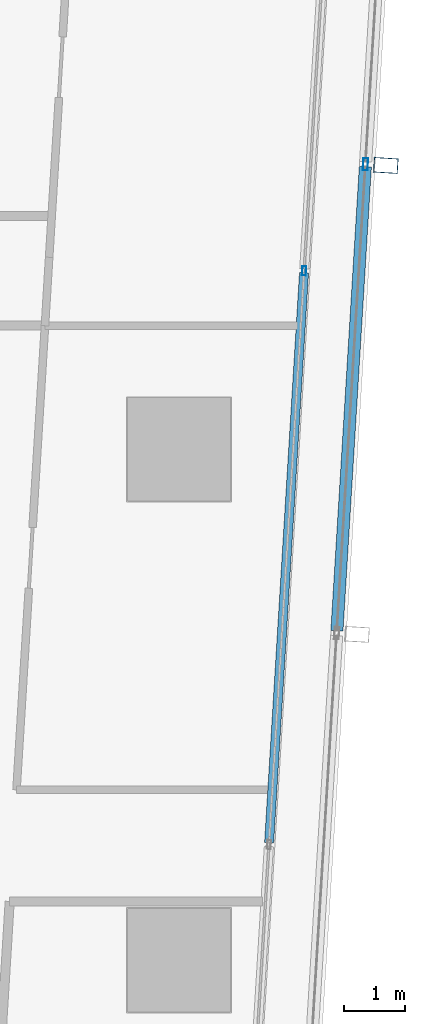
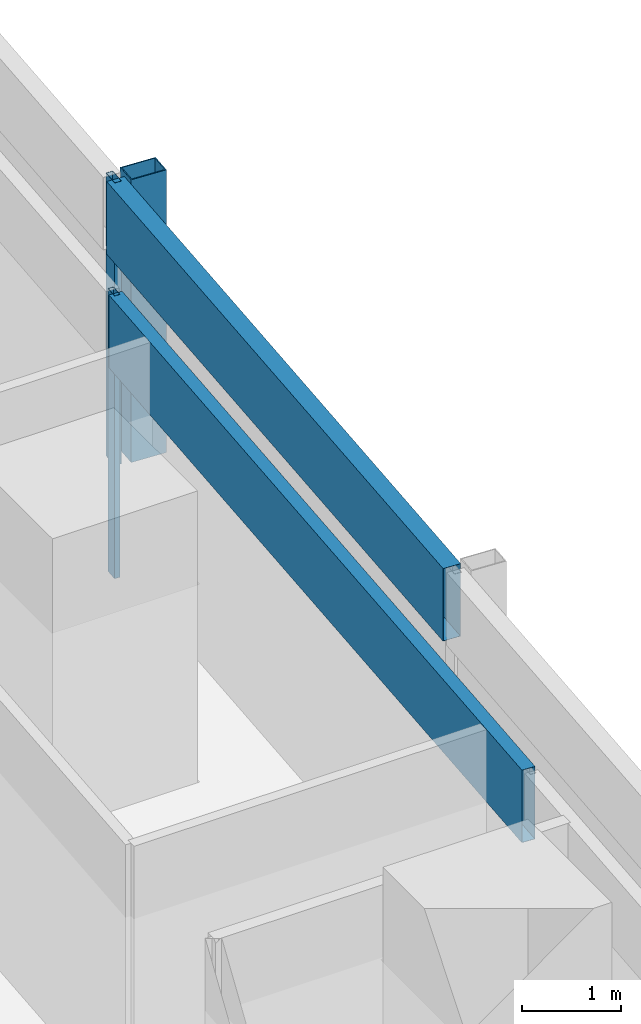
# One storey, part 24 of 40: 5 members, 2 elements without a shape of their own.
"""IFC4 building model written with IfcOpenShell, lengths in metres."""

from ifc_helpers import new_model, si_unit, direction, frame, origin, origin_2d, place, context, subcontext, project, spatial, hollow_rectangle, extrude, material, material_profile, profile_set, type_object, element, aggregate, save


model = new_model("IFC4")

# Units and contexts
model_context = context("Model", 3, precision=1e-05, world=origin(), true_north=direction((0.0, 1.0)))
body_context = subcontext(model_context, "Body", "Model", "MODEL_VIEW")
ifc_project = project(units=[si_unit("LENGTHUNIT", "METRE"), si_unit("AREAUNIT", "SQUARE_METRE"), si_unit("VOLUMEUNIT", "CUBIC_METRE"), si_unit("PLANEANGLEUNIT", "RADIAN"), si_unit("MASSUNIT", "GRAM", prefix="KILO")], contexts=[model_context])

# Site, building, storey
site_placement = place(None, origin())
site = spatial("IfcSite", under=ifc_project, at=site_placement, CompositionType="ELEMENT")
building_placement = place(site_placement, origin())
building = spatial("IfcBuilding", under=site, at=building_placement, Name="Rekha Terrace Tower", CompositionType="ELEMENT")
storey_placement = place(building_placement, frame((0.0, 0.0, 121.550048828125)))
storey = spatial("IfcBuildingStorey", under=building, at=storey_placement, Name="L30", CompositionType="ELEMENT", Elevation=121.550048828125)

# Curtain wall, member
ifc_material_1 = material(Name="Aluminium framing", Category="aluminium")
curtain_wall_type_1 = type_object("IfcCurtainWallType", Name="CW2 double skin outer glazing", PredefinedType="USERDEFINED", material=ifc_material_1)
curtain_wall_1_placement = place(storey_placement, origin())
curtain_wall_1 = element("IfcCurtainWall", 1, at=curtain_wall_1_placement, inside=storey, type_object=curtain_wall_type_1, Name="CW2 double skin outer glazing", ObjectType="DOUBLE SKIN OUTER GLAZING", PredefinedType="USERDEFINED")
ifc_material_2 = material(Name="Steel S355 with fluorocarbon finish", Category="steel")
ifc_material_profile_1 = material_profile(ifc_material_2, hollow_rectangle(XDim=0.25, YDim=0.39990234375, WallThickness=0.012451171875, at=origin_2d()), Name="RHS400x250x12.5")
ifc_profile_set_1 = profile_set([ifc_material_profile_1], Name="Steel S355 with fluorocarbon finish")
member_type_1 = type_object("IfcMemberType", Name="BL1 facade blade RHS 400 x 250", PredefinedType="USERDEFINED", material=ifc_profile_set_1)
member_1_placement = place(storey_placement, frame((70.601318359375, 38.27001953125, 0.0), z_axis=(0.0, 0.0, 1.0), x_axis=(0.061160031881, 0.998127973008, 0.0)))
member_1 = element("IfcMember", 2, at=member_1_placement, type_object=member_type_1, Name="Facade blade", ObjectType="FACADE BLADE", PredefinedType="USERDEFINED", context=body_context, shape_type="SweptSolid", body=[
    extrude(hollow_rectangle(XDim=0.25, YDim=0.39990234375, WallThickness=0.012451171875, at=origin_2d()), origin(), (0.0, 0.0, 1.0), 3.5),
])

# Curtain wall, members
curtain_wall_type_2 = type_object("IfcCurtainWallType", Name="CW1 double skin inner glazing", PredefinedType="USERDEFINED", material=ifc_material_1)
curtain_wall_2_placement = place(storey_placement, origin())
curtain_wall_2 = element("IfcCurtainWall", 3, at=curtain_wall_2_placement, inside=storey, type_object=curtain_wall_type_2, Name="CW1 double skin inner glazing", ObjectType="DOUBLE SKIN INNER GLAZING", PredefinedType="USERDEFINED")
ifc_material_3 = material(Name="Aluminium mullion section", Category="aluminium")
ifc_material_profile_2 = material_profile(ifc_material_3, hollow_rectangle(XDim=0.06494140625, YDim=0.14990234375, WallThickness=0.00390625, at=origin_2d()), Name="AL RHS 65x150")
ifc_profile_set_2 = profile_set([ifc_material_profile_2], Name="Aluminium mullion section")
member_type_2 = type_object("IfcMemberType", Name="CW1 mullion RHS 65 x 150", PredefinedType="MULLION", material=ifc_profile_set_2)
member_2_placement = place(storey_placement, frame((69.257568359375, 36.53662109375, 0.0), z_axis=(0.0, 0.0, 1.0), x_axis=(-0.998127987024, 0.061159803131, 0.0)))
member_2 = element("IfcMember", 4, at=member_2_placement, type_object=member_type_2, Name="CW1 mullion 3", PredefinedType="MULLION", context=body_context, shape_type="SweptSolid", body=[
    extrude(hollow_rectangle(XDim=0.06494140625, YDim=0.14990234375, WallThickness=0.00390625, at=origin_2d()), origin(), (0.0, 0.0, 1.0), 3.5),
])
ifc_material_4 = material(Name="Insulated aluminium spandrel box", Category="aluminium")
ifc_material_profile_3 = material_profile(ifc_material_4, hollow_rectangle(XDim=0.14990234375, YDim=0.89990234375, WallThickness=0.0029296875, at=origin_2d()), Name="AL SPANDREL BOX 150x900")
ifc_profile_set_3 = profile_set([ifc_material_profile_3], Name="Insulated aluminium spandrel box")
member_type_3 = type_object("IfcMemberType", Name="CW1 spandrel transom 150 x 900", PredefinedType="USERDEFINED", material=ifc_profile_set_3)
member_3_placement = place(storey_placement, frame((68.681640625, 27.13427734375, 3.050048828125), z_axis=(0.061141260248, 0.998129123057, 0.0), x_axis=(-0.998129123057, 0.061141260248, 0.0)))
member_3 = element("IfcMember", 5, at=member_3_placement, type_object=member_type_3, Name="CW1 spandrel transom 2", ObjectType="TRANSOM", PredefinedType="USERDEFINED", context=body_context, shape_type="SweptSolid", body=[
    extrude(hollow_rectangle(XDim=0.14990234375, YDim=0.89990234375, WallThickness=0.0029296875, at=origin_2d()), origin(), (0.0, 0.0, 1.0), 9.3876953125),
])
aggregate(curtain_wall_2, [member_2, member_3])

# Member
ifc_material_profile_4 = material_profile(ifc_material_3, hollow_rectangle(XDim=0.080078125, YDim=0.199951171875, WallThickness=0.00390625, at=origin_2d()), Name="AL RHS 80x200")
ifc_profile_set_4 = profile_set([ifc_material_profile_4], Name="Aluminium mullion section")
member_type_4 = type_object("IfcMemberType", Name="CW2 mullion RHS 80 x 200", PredefinedType="MULLION", material=ifc_profile_set_4)
member_4_placement = place(storey_placement, frame((70.266845703125, 38.29052734375, 0.0), z_axis=(0.0, 0.0, 1.0), x_axis=(-0.998127987024, 0.061159803131, 0.0)))
member_4 = element("IfcMember", 6, at=member_4_placement, type_object=member_type_4, Name="CW2 mullion 4", PredefinedType="MULLION", context=body_context, shape_type="SweptSolid", body=[
    extrude(hollow_rectangle(XDim=0.080078125, YDim=0.199951171875, WallThickness=0.00390625, at=origin_2d()), origin(), (0.0, 0.0, 1.0), 3.5),
])

ifc_material_profile_5 = material_profile(ifc_material_4, hollow_rectangle(XDim=0.199951171875, YDim=0.89990234375, WallThickness=0.0029296875, at=origin_2d()), Name="AL SPANDREL BOX 200x900")
ifc_profile_set_5 = profile_set([ifc_material_profile_5], Name="Insulated aluminium spandrel box")
member_type_5 = type_object("IfcMemberType", Name="CW2 spandrel transom 200 x 900", PredefinedType="USERDEFINED", material=ifc_profile_set_5)
member_5_placement = place(storey_placement, frame((69.796630859375, 30.618408203125, 3.050048828125), z_axis=(0.061175629852, 0.998127017124, 0.0), x_axis=(-0.998127017124, 0.061175629852, 0.0)))
member_5 = element("IfcMember", 7, at=member_5_placement, type_object=member_type_5, Name="CW2 spandrel transom 3", ObjectType="TRANSOM", PredefinedType="USERDEFINED", context=body_context, shape_type="SweptSolid", body=[
    extrude(hollow_rectangle(XDim=0.199951171875, YDim=0.89990234375, WallThickness=0.0029296875, at=origin_2d()), origin(), (0.0, 0.0, 1.0), 7.646484375),
])

aggregate(curtain_wall_1, [member_4, member_5, member_1])

save(model, "model.ifc")
